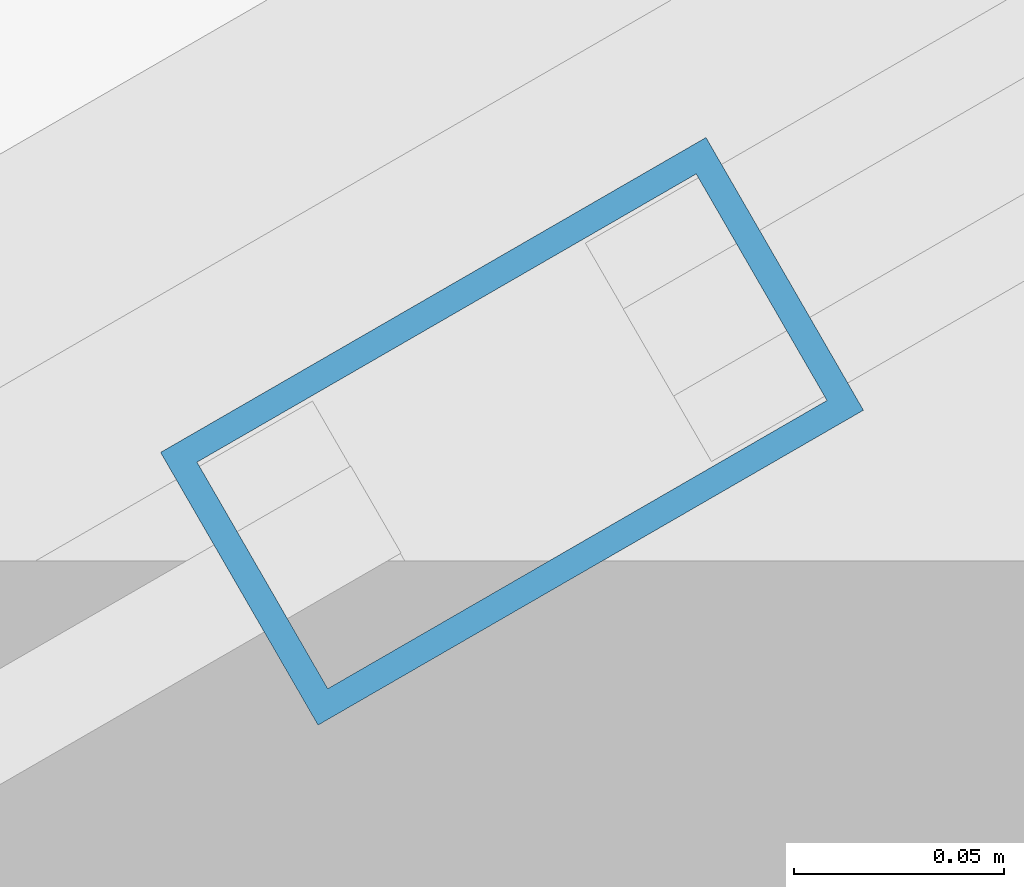
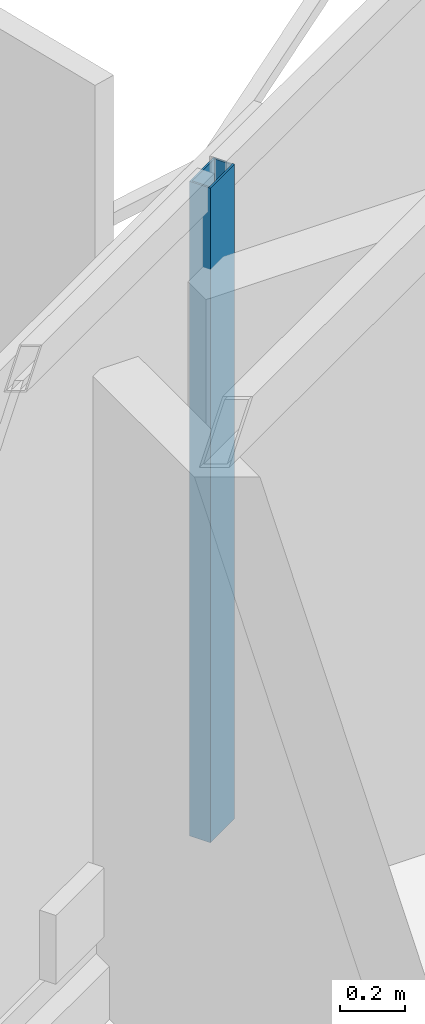
# One storey, part 11 of 22: 1 member, 1 element without a shape of its own.
"""IFC4 building model written with IfcOpenShell, lengths in metres."""

from ifc_helpers import new_model, si_unit, direction, frame, origin, origin_2d, place, context, subcontext, project, spatial, hollow_rectangle, extrude, material, layer, layer_set, material_profile, profile_set, type_object, element, aggregate, save


model = new_model("IFC4")

# Units and contexts
model_context = context("Model", 3, precision=1e-05, world=origin(), true_north=direction((0.0, 1.0)))
body_context = subcontext(model_context, "Body", "Model", "MODEL_VIEW")
ifc_project = project(units=[si_unit("LENGTHUNIT", "METRE"), si_unit("AREAUNIT", "SQUARE_METRE"), si_unit("VOLUMEUNIT", "CUBIC_METRE"), si_unit("PLANEANGLEUNIT", "RADIAN"), si_unit("MASSUNIT", "GRAM", prefix="KILO")], contexts=[model_context])

# Site, building, storey
site_placement = place(None, origin())
site = spatial("IfcSite", under=ifc_project, at=site_placement, CompositionType="ELEMENT")
building_placement = place(site_placement, origin())
building = spatial("IfcBuilding", under=site, at=building_placement, Name="Mersakhor Tower and Convention Hall", CompositionType="ELEMENT")
storey_placement = place(building_placement, frame((0.0, 0.0, 103.199951171875)))
storey = spatial("IfcBuildingStorey", under=building, at=storey_placement, Name="L28", CompositionType="ELEMENT", Elevation=103.199951171875)

# Curtain wall, member
ifc_material_1 = material(Name="Dark solar low-E aluminium curtain wall", Category="aluminium")
ifc_layer = layer(ifc_material_1, 0.159912109375)
ifc_layer_set = layer_set([ifc_layer], Name="Dark solar low-E aluminium curtain wall")
curtain_wall_type = type_object("IfcCurtainWallType", Name="CW-SYS-01", PredefinedType="USERDEFINED", material=ifc_layer_set)
curtain_wall_placement = place(storey_placement, origin())
curtain_wall = element("IfcCurtainWall", 1, at=curtain_wall_placement, inside=storey, type_object=curtain_wall_type, Name="L28 Dark-Glass Curtain Wall F1-B2", ObjectType="CURTAIN WALL", PredefinedType="USERDEFINED")
ifc_material_2 = material(Name="Anodised aluminium EN AW-6063 T6", Category="aluminium")
ifc_material_profile = material_profile(ifc_material_2, hollow_rectangle(XDim=0.074951171875, YDim=0.14990234375, WallThickness=0.00634765625, at=origin_2d()), Name="RHS 150x75x6.3")
ifc_profile_set = profile_set([ifc_material_profile], Name="Anodised aluminium EN AW-6063 T6")
member_type = type_object("IfcMemberType", Name="CWM-150x75", PredefinedType="MULLION", material=ifc_profile_set)
member_placement = place(storey_placement, frame((20.36181640625, 37.968505859375, 0.199951171875), z_axis=(0.0, 0.0, 1.0), x_axis=(-0.499997904985, 0.866026613339, 0.0)))
member = element("IfcMember", 2, at=member_placement, type_object=member_type, Name="CW-01 mullion 2", PredefinedType="MULLION", context=body_context, shape_type="SweptSolid", body=[
    extrude(hollow_rectangle(XDim=0.074951171875, YDim=0.14990234375, WallThickness=0.00634765625, at=origin_2d()), origin(), (0.0, 0.0, 1.0), 2.47021484375),
])
aggregate(curtain_wall, [member])

save(model, "model.ifc")
